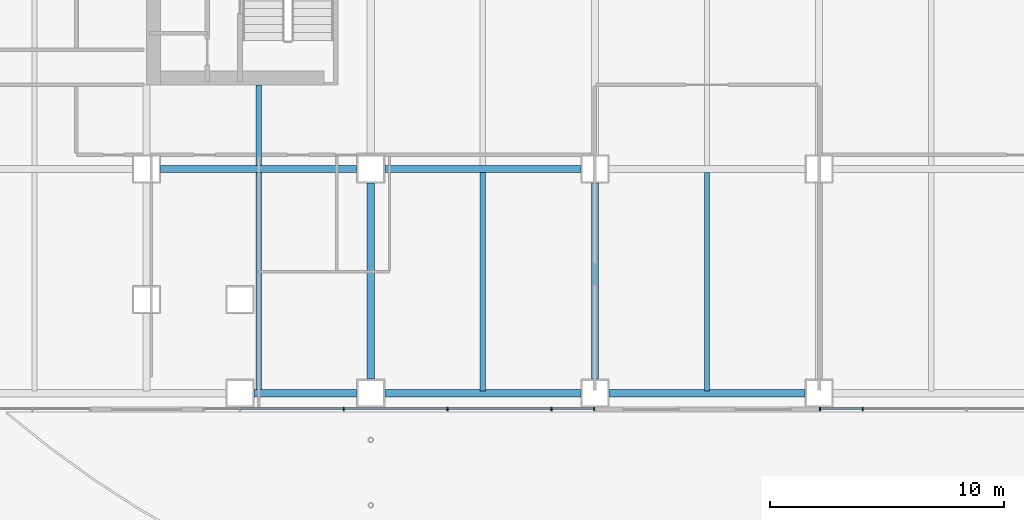
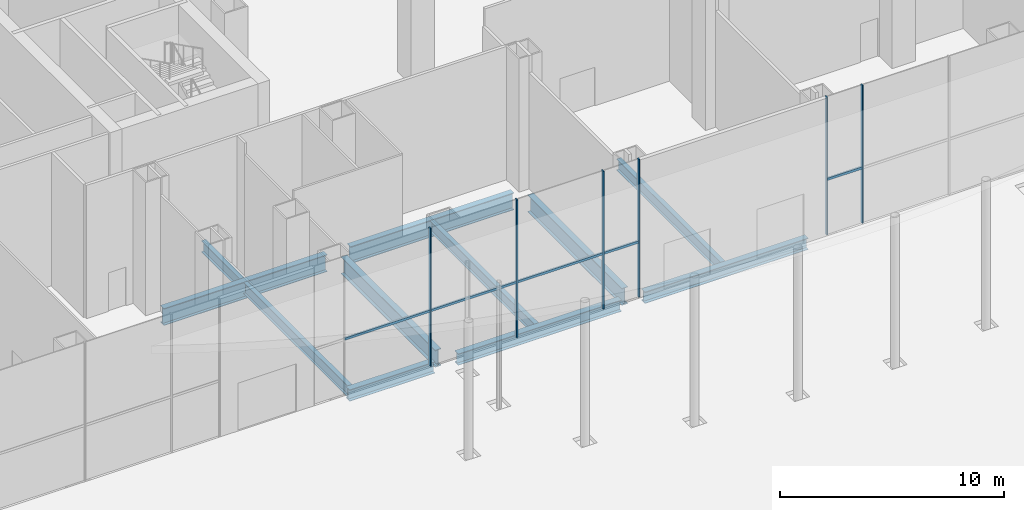
# One storey, part 9 of 36: 11 beams, 11 members, 2 elements without a shape of their own.
"""IFC4 building model written with IfcOpenShell, lengths in metres."""

from ifc_helpers import new_model, si_unit, direction, frame, origin, origin_2d, place, context, subcontext, project, spatial, rectangle, i_section, extrude, material, material_profile, profile_set, type_object, element, aggregate, save


model = new_model("IFC4")

# Units and contexts
model_context = context("Model", 3, precision=1e-05, world=origin(), true_north=direction((0.0, 1.0)))
body_context = subcontext(model_context, "Body", "Model", "MODEL_VIEW")
ifc_project = project(units=[si_unit("LENGTHUNIT", "METRE"), si_unit("AREAUNIT", "SQUARE_METRE"), si_unit("VOLUMEUNIT", "CUBIC_METRE"), si_unit("PLANEANGLEUNIT", "RADIAN"), si_unit("MASSUNIT", "GRAM", prefix="KILO")], contexts=[model_context])

# Site, building, storey
site_placement = place(None, origin())
site = spatial("IfcSite", under=ifc_project, at=site_placement, CompositionType="ELEMENT")
building_placement = place(site_placement, origin())
building = spatial("IfcBuilding", under=site, at=building_placement, Name="Cobrizo Arcos Hotel Tower", CompositionType="ELEMENT")
storey_placement = place(building_placement, origin())
storey = spatial("IfcBuildingStorey", under=building, at=storey_placement, Name="L00", CompositionType="ELEMENT", Elevation=0.0)

# Curtain wall, members
ifc_material_1 = material(Name="Aluminium 6063-T6 anodised bronze", Category="aluminium")
curtain_wall_type = type_object("IfcCurtainWallType", Name="CW-A guest facade", PredefinedType="NOTDEFINED", material=ifc_material_1)
curtain_wall_1_placement = place(storey_placement, origin())
curtain_wall_1 = element("IfcCurtainWall", 1, at=curtain_wall_1_placement, inside=storey, type_object=curtain_wall_type, Name="CW-A L00 S face", PredefinedType="NOTDEFINED")
ifc_material_profile_1 = material_profile(ifc_material_1, rectangle(XDim=0.14990234375, YDim=0.06005859375, at=origin_2d()), Name="CW-A mullion 150x60")
ifc_profile_set_1 = profile_set([ifc_material_profile_1], Name="Aluminium 6063-T6 anodised bronze")
member_type_1 = type_object("IfcMemberType", Name="CW-A mullion 150x60", PredefinedType="MULLION", material=ifc_profile_set_1)
member_1_placement = place(storey_placement, frame((-15.5556640625, -24.675048828125, 0.0), z_axis=(0.0, 0.0, 1.0), x_axis=(0.0, -1.0, 0.0)))
member_1 = element("IfcMember", 2, at=member_1_placement, type_object=member_type_1, Name="CW-A mullion 3", PredefinedType="MULLION", context=body_context, shape_type="SweptSolid", body=[
    extrude(rectangle(XDim=0.14990234375, YDim=0.06005859375, at=origin_2d()), origin(), (0.0, 0.0, 1.0), 7.5),
])
member_2_placement = place(storey_placement, frame((-11.111083984375, -24.675048828125, 0.0), z_axis=(0.0, 0.0, 1.0), x_axis=(0.0, -1.0, 0.0)))
member_2 = element("IfcMember", 3, at=member_2_placement, type_object=member_type_1, Name="CW-A mullion 4", PredefinedType="MULLION", context=body_context, shape_type="SweptSolid", body=[
    extrude(rectangle(XDim=0.14990234375, YDim=0.06005859375, at=origin_2d()), origin(), (0.0, 0.0, 1.0), 7.5),
])
member_3_placement = place(storey_placement, frame((-6.666748046875, -24.675048828125, 0.0), z_axis=(0.0, 0.0, 1.0), x_axis=(0.0, -1.0, 0.0)))
member_3 = element("IfcMember", 4, at=member_3_placement, type_object=member_type_1, Name="CW-A mullion 5", PredefinedType="MULLION", context=body_context, shape_type="SweptSolid", body=[
    extrude(rectangle(XDim=0.14990234375, YDim=0.06005859375, at=origin_2d()), origin(), (0.0, 0.0, 1.0), 7.5),
])
member_4_placement = place(storey_placement, frame((-4.830078125, -24.675048828125, 0.0), z_axis=(0.0, 0.0, 1.0), x_axis=(0.0, -1.0, 0.0)))
member_4 = element("IfcMember", 5, at=member_4_placement, type_object=member_type_1, Name="CW-A mullion 6", PredefinedType="MULLION", context=body_context, shape_type="SweptSolid", body=[
    extrude(rectangle(XDim=0.14990234375, YDim=0.06005859375, at=origin_2d()), origin(), (0.0, 0.0, 1.0), 7.5),
])

curtain_wall_2_placement = place(storey_placement, origin())
curtain_wall_2 = element("IfcCurtainWall", 6, at=curtain_wall_2_placement, inside=storey, type_object=curtain_wall_type, Name="CW-A L00 S face", PredefinedType="NOTDEFINED")
member_5_placement = place(storey_placement, frame((4.830078125, -24.675048828125, 0.0), z_axis=(0.0, 0.0, 1.0), x_axis=(0.0, -1.0, 0.0)))
member_5 = element("IfcMember", 7, at=member_5_placement, type_object=member_type_1, Name="CW-A mullion 1", PredefinedType="MULLION", context=body_context, shape_type="SweptSolid", body=[
    extrude(rectangle(XDim=0.14990234375, YDim=0.06005859375, at=origin_2d()), origin(), (0.0, 0.0, 1.0), 7.5),
])
member_6_placement = place(storey_placement, frame((6.666748046875, -24.675048828125, 0.0), z_axis=(0.0, 0.0, 1.0), x_axis=(0.0, -1.0, 0.0)))
member_6 = element("IfcMember", 8, at=member_6_placement, type_object=member_type_1, Name="CW-A mullion 2", PredefinedType="MULLION", context=body_context, shape_type="SweptSolid", body=[
    extrude(rectangle(XDim=0.14990234375, YDim=0.06005859375, at=origin_2d()), origin(), (0.0, 0.0, 1.0), 7.5),
])

# Member
ifc_material_profile_2 = material_profile(ifc_material_1, rectangle(XDim=0.10009765625, YDim=0.1201171875, at=origin_2d()), Name="CW-A transom 120x100")
ifc_profile_set_2 = profile_set([ifc_material_profile_2], Name="Aluminium 6063-T6 anodised bronze")
member_type_2 = type_object("IfcMemberType", Name="CW-A transom 120x100", PredefinedType="USERDEFINED", material=ifc_profile_set_2)
member_7_placement = place(storey_placement, frame((-19.969970703125, -24.675048828125, 3.0), z_axis=(1.0, 0.0, 0.0), x_axis=(0.0, 1.0, 0.0)))
member_7 = element("IfcMember", 9, at=member_7_placement, type_object=member_type_2, Name="CW-A transom 41", ObjectType="TRANSOM", PredefinedType="USERDEFINED", context=body_context, shape_type="SweptSolid", body=[
    extrude(rectangle(XDim=0.10009765625, YDim=0.1201171875, at=origin_2d()), origin(), (0.0, 0.0, 1.0), 4.384521484375),
])

member_8_placement = place(storey_placement, frame((-15.525634765625, -24.675048828125, 3.0), z_axis=(1.0, 0.0, 0.0), x_axis=(0.0, 1.0, 0.0)))
member_8 = element("IfcMember", 10, at=member_8_placement, type_object=member_type_2, Name="CW-A transom 42", ObjectType="TRANSOM", PredefinedType="USERDEFINED", context=body_context, shape_type="SweptSolid", body=[
    extrude(rectangle(XDim=0.10009765625, YDim=0.1201171875, at=origin_2d()), origin(), (0.0, 0.0, 1.0), 4.384521484375),
])

member_9_placement = place(storey_placement, frame((-11.0810546875, -24.675048828125, 3.0), z_axis=(1.0, 0.0, 0.0), x_axis=(0.0, 1.0, 0.0)))
member_9 = element("IfcMember", 11, at=member_9_placement, type_object=member_type_2, Name="CW-A transom 43", ObjectType="TRANSOM", PredefinedType="USERDEFINED", context=body_context, shape_type="SweptSolid", body=[
    extrude(rectangle(XDim=0.10009765625, YDim=0.1201171875, at=origin_2d()), origin(), (0.0, 0.0, 1.0), 4.38427734375),
])

member_10_placement = place(storey_placement, frame((-6.63671875, -24.675048828125, 3.0), z_axis=(1.0, 0.0, 0.0), x_axis=(0.0, 1.0, 0.0)))
member_10 = element("IfcMember", 12, at=member_10_placement, type_object=member_type_2, Name="CW-A transom 44", ObjectType="TRANSOM", PredefinedType="USERDEFINED", context=body_context, shape_type="SweptSolid", body=[
    extrude(rectangle(XDim=0.10009765625, YDim=0.1201171875, at=origin_2d()), origin(), (0.0, 0.0, 1.0), 1.776611328125),
])

aggregate(curtain_wall_1, [member_1, member_2, member_3, member_4, member_7, member_8, member_9, member_10])

member_11_placement = place(storey_placement, frame((4.860107421875, -24.675048828125, 3.0), z_axis=(1.0, 0.0, 0.0), x_axis=(0.0, 1.0, 0.0)))
member_11 = element("IfcMember", 13, at=member_11_placement, type_object=member_type_2, Name="CW-A transom 45", ObjectType="TRANSOM", PredefinedType="USERDEFINED", context=body_context, shape_type="SweptSolid", body=[
    extrude(rectangle(XDim=0.10009765625, YDim=0.1201171875, at=origin_2d()), origin(), (0.0, 0.0, 1.0), 1.776611328125),
])

aggregate(curtain_wall_2, [member_5, member_6, member_11])

# Beams
ifc_material_2 = material(Name="Steel ASTM A992 Grade 50", Category="steel")
ifc_material_profile_3 = material_profile(ifc_material_2, i_section(OverallWidth=0.32763671875, OverallDepth=0.622314453125, WebThickness=0.015380859375, FlangeThickness=0.0244140625, at=origin_2d()), Name="W24X131")
ifc_profile_set_3 = profile_set([ifc_material_profile_3], Name="Steel ASTM A992 Grade 50")
beam_type_1 = type_object("IfcBeamType", Name="W24X131 spandrel", PredefinedType="SPANDREL", material=ifc_profile_set_3)
beam_1_placement = place(storey_placement, frame((-19.39990234375, -24.0, -0.611083984375), z_axis=(1.0, 0.0, 0.0), x_axis=(0.0, 1.0, 0.0)))
element("IfcBeam", 14, at=beam_1_placement, inside=storey, type_object=beam_type_1, Name="Spandrel beam W24X131, L00, no. 009", PredefinedType="SPANDREL", context=body_context, shape_type="SweptSolid", body=[
    extrude(i_section(OverallWidth=0.32763671875, OverallDepth=0.622314453125, WebThickness=0.015380859375, FlangeThickness=0.0244140625, at=origin_2d()), origin(), (0.0, 0.0, 1.0), 4.39990234375),
])
beam_2_placement = place(storey_placement, frame((-13.800048828125, -24.0, -0.611083984375), z_axis=(1.0, 0.0, 0.0), x_axis=(0.0, 1.0, 0.0)))
element("IfcBeam", 15, at=beam_2_placement, inside=storey, type_object=beam_type_1, Name="Spandrel beam W24X131, L00, no. 010", PredefinedType="SPANDREL", context=body_context, shape_type="SweptSolid", body=[
    extrude(i_section(OverallWidth=0.32763671875, OverallDepth=0.622314453125, WebThickness=0.015380859375, FlangeThickness=0.0244140625, at=origin_2d()), origin(), (0.0, 0.0, 1.0), 8.400146484375),
])
beam_3_placement = place(storey_placement, frame((-4.199951171875, -24.0, -0.611083984375), z_axis=(1.0, 0.0, 0.0), x_axis=(0.0, 1.0, 0.0)))
element("IfcBeam", 16, at=beam_3_placement, inside=storey, type_object=beam_type_1, Name="Spandrel beam W24X131, L00, no. 011", PredefinedType="SPANDREL", context=body_context, shape_type="SweptSolid", body=[
    extrude(i_section(OverallWidth=0.32763671875, OverallDepth=0.622314453125, WebThickness=0.015380859375, FlangeThickness=0.0244140625, at=origin_2d()), origin(), (0.0, 0.0, 1.0), 8.39990234375),
])
ifc_material_profile_4 = material_profile(ifc_material_2, i_section(OverallWidth=0.23046875, OverallDepth=0.6171875, WebThickness=0.01318359375, FlangeThickness=0.022216796875, at=origin_2d()), Name="W24X94")
ifc_profile_set_4 = profile_set([ifc_material_profile_4], Name="Steel ASTM A992 Grade 50")
beam_type_2 = type_object("IfcBeamType", Name="W24X94 podium joist", PredefinedType="JOIST", material=ifc_profile_set_4)
beam_4_placement = place(storey_placement, frame((-19.199951171875, -23.909912109375, -0.608642578125), z_axis=(0.0, 1.0, 0.0), x_axis=(-1.0, 0.0, 0.0)))
element("IfcBeam", 17, at=beam_4_placement, inside=storey, type_object=beam_type_2, Name="Podium joist PJ1, L00, no. 006", PredefinedType="JOIST", context=body_context, shape_type="SweptSolid", body=[
    extrude(i_section(OverallWidth=0.23046875, OverallDepth=0.6171875, WebThickness=0.01318359375, FlangeThickness=0.022216796875, at=origin_2d()), origin(), (0.0, 0.0, 1.0), 9.356201171875),
])
beam_5_placement = place(storey_placement, frame((-19.199951171875, -14.246337890625, -0.608642578125), z_axis=(0.0, 1.0, 0.0), x_axis=(-1.0, 0.0, 0.0)))
element("IfcBeam", 18, at=beam_5_placement, inside=storey, type_object=beam_type_2, Name="Podium joist PJ1, L00, no. 007", PredefinedType="JOIST", context=body_context, shape_type="SweptSolid", body=[
    extrude(i_section(OverallWidth=0.23046875, OverallDepth=0.6171875, WebThickness=0.01318359375, FlangeThickness=0.022216796875, at=origin_2d()), origin(), (0.0, 0.0, 1.0), 3.436279296875),
])
for number, where, z_axis, x_axis, name in (
    (19, (-9.60009765625, -23.909912109375, -0.608642578125), (0.0, 1.0, 0.0), (-1.0, 0.0, 0.0), "Podium joist PJ1, L00, no. 010"),
    (20, (0.0, -23.909912109375, -0.608642578125), (0.0, 1.0, 0.0), (-1.0, 0.0, 0.0), "Podium joist PJ1, L00, no. 015"),
):
    element("IfcBeam", number, at=place(storey_placement, frame(where, z_axis=z_axis, x_axis=x_axis)), inside=storey, type_object=beam_type_2, Name=name, PredefinedType="JOIST", context=body_context, shape_type="SweptSolid", body=[
        extrude(i_section(OverallWidth=0.23046875, OverallDepth=0.6171875, WebThickness=0.01318359375, FlangeThickness=0.022216796875, at=origin_2d()), origin(), (0.0, 0.0, 1.0), 9.356201171875),
    ])
ifc_material_profile_5 = material_profile(ifc_material_2, i_section(OverallWidth=0.307373046875, OverallDepth=0.927001953125, WebThickness=0.01953125, FlangeThickness=0.031982421875, at=origin_2d()), Name="W36X194")
ifc_profile_set_5 = profile_set([ifc_material_profile_5], Name="Steel ASTM A992 Grade 50")
beam_type_3 = type_object("IfcBeamType", Name="W36X194 podium girder", PredefinedType="BEAM", material=ifc_profile_set_5)
beam_6_placement = place(storey_placement, frame((-23.39990234375, -14.39990234375, -0.763427734375), z_axis=(1.0, 0.0, 0.0), x_axis=(0.0, 1.0, 0.0)))
element("IfcBeam", 21, at=beam_6_placement, inside=storey, type_object=beam_type_3, Name="Podium girder PG1, L00, no. 003", PredefinedType="BEAM", context=body_context, shape_type="SweptSolid", body=[
    extrude(i_section(OverallWidth=0.307373046875, OverallDepth=0.927001953125, WebThickness=0.01953125, FlangeThickness=0.031982421875, at=origin_2d()), origin(), (0.0, 0.0, 1.0), 8.39990234375),
])
beam_7_placement = place(storey_placement, frame((-13.800048828125, -14.39990234375, -0.763427734375), z_axis=(1.0, 0.0, 0.0), x_axis=(0.0, 1.0, 0.0)))
element("IfcBeam", 22, at=beam_7_placement, inside=storey, type_object=beam_type_3, Name="Podium girder PG1, L00, no. 004", PredefinedType="BEAM", context=body_context, shape_type="SweptSolid", body=[
    extrude(i_section(OverallWidth=0.307373046875, OverallDepth=0.927001953125, WebThickness=0.01953125, FlangeThickness=0.031982421875, at=origin_2d()), origin(), (0.0, 0.0, 1.0), 8.400146484375),
])
for number, where, z_axis, x_axis, name in (
    (23, (-14.39990234375, -23.39990234375, -0.763427734375), (0.0, 1.0, 0.0), (-1.0, 0.0, 0.0), "Podium girder PG1, L00, no. 046"),
    (24, (-4.800048828125, -23.39990234375, -0.763427734375), (0.0, 1.0, 0.0), (-1.0, 0.0, 0.0), "Podium girder PG1, L00, no. 051"),
):
    element("IfcBeam", number, at=place(storey_placement, frame(where, z_axis=z_axis, x_axis=x_axis)), inside=storey, type_object=beam_type_3, Name=name, PredefinedType="BEAM", context=body_context, shape_type="SweptSolid", body=[
        extrude(i_section(OverallWidth=0.307373046875, OverallDepth=0.927001953125, WebThickness=0.01953125, FlangeThickness=0.031982421875, at=origin_2d()), origin(), (0.0, 0.0, 1.0), 8.39990234375),
    ])

save(model, "model.ifc")
